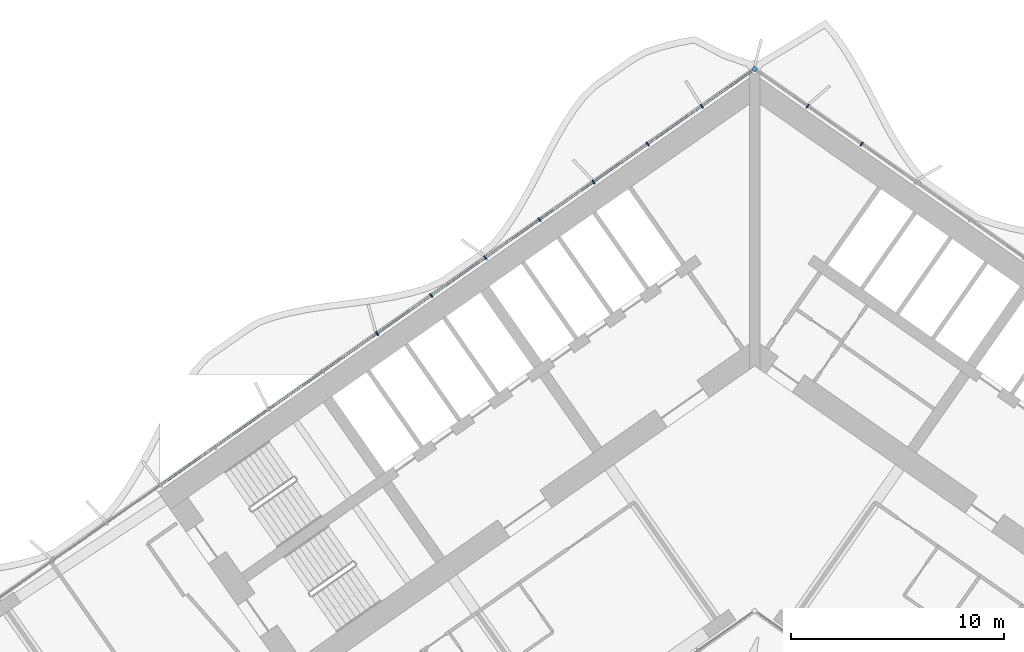
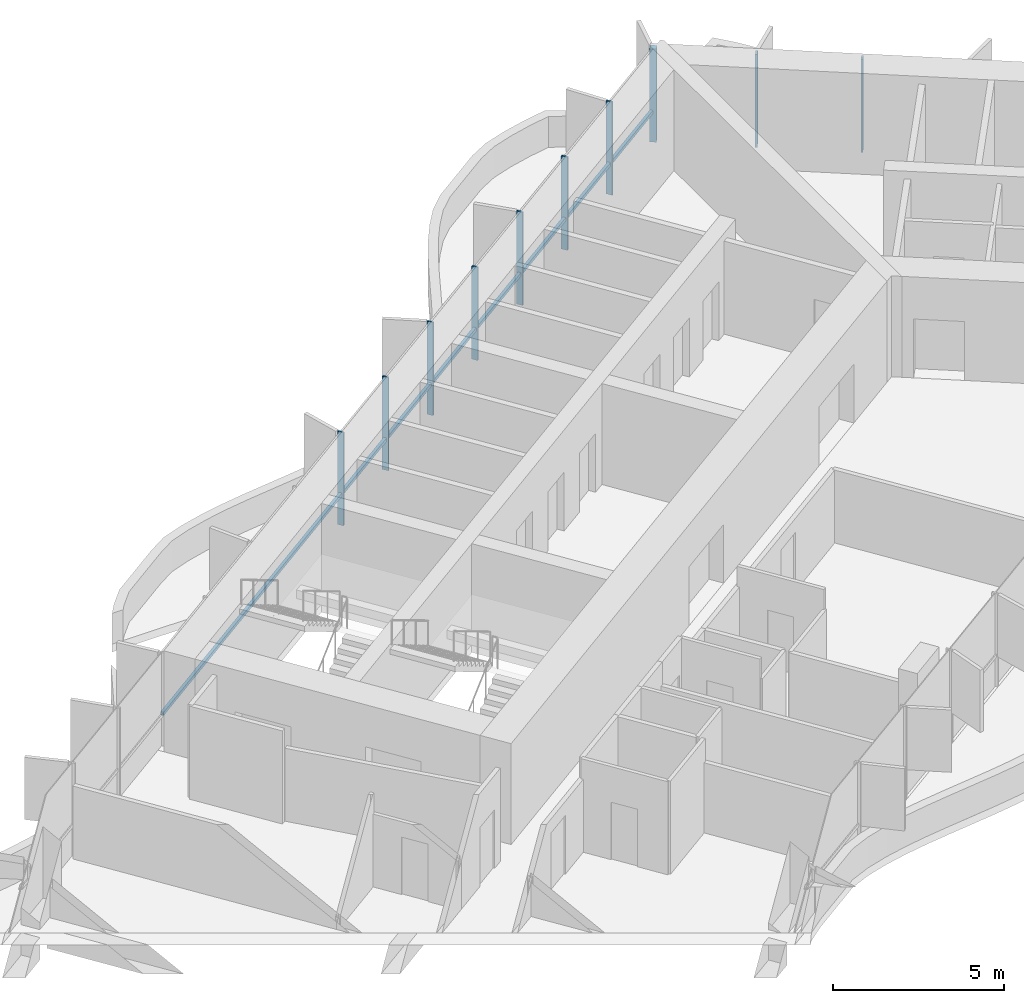
# One storey, part 7 of 23: 11 members, 1 element without a shape of its own.
"""IFC4 building model written with IfcOpenShell, lengths in metres."""

from ifc_helpers import new_model, si_unit, direction, frame, origin, origin_2d, place, context, subcontext, project, spatial, rectangle, extrude, material, material_profile, profile_set, type_object, element, aggregate, save


model = new_model("IFC4")

# Units and contexts
model_context = context("Model", 3, precision=1e-05, world=origin(), true_north=direction((0.0, 1.0)))
body_context = subcontext(model_context, "Body", "Model", "MODEL_VIEW")
ifc_project = project(units=[si_unit("LENGTHUNIT", "METRE"), si_unit("AREAUNIT", "SQUARE_METRE"), si_unit("VOLUMEUNIT", "CUBIC_METRE"), si_unit("PLANEANGLEUNIT", "RADIAN"), si_unit("MASSUNIT", "GRAM", prefix="KILO")], contexts=[model_context])

# Site, building, storey
site_placement = place(None, origin())
site = spatial("IfcSite", under=ifc_project, at=site_placement, CompositionType="ELEMENT")
building_placement = place(site_placement, origin())
building = spatial("IfcBuilding", under=site, at=building_placement, Name="Tel Ilan Convention Tower", CompositionType="ELEMENT")
storey_placement = place(building_placement, frame((0.0, 0.0, 101.300048828125)))
storey = spatial("IfcBuildingStorey", under=building, at=storey_placement, Name="L21", CompositionType="ELEMENT", Elevation=101.300048828125)

# Curtain wall, members
ifc_material_1 = material(Name="Aluminium, bronze anodised", Category="aluminium")
curtain_wall_type = type_object("IfcCurtainWallType", Name="CW2 STICK CURTAIN WALL, SPANDREL PANELS", PredefinedType="NOTDEFINED", material=ifc_material_1)
curtain_wall_placement = place(storey_placement, origin())
curtain_wall = element("IfcCurtainWall", 1, at=curtain_wall_placement, inside=storey, type_object=curtain_wall_type, Name="Curtain wall CW2-19.01", PredefinedType="NOTDEFINED")
ifc_material_2 = material(Name="Aluminium, bronze anodised", Category="aluminium")
ifc_material_profile_1 = material_profile(ifc_material_2, rectangle(XDim=0.199951171875, YDim=0.199951171875, at=origin_2d()), Name="CW CORNER MULLION 200x200")
ifc_profile_set_1 = profile_set([ifc_material_profile_1], Name="Aluminium, bronze anodised")
member_type_1 = type_object("IfcMemberType", Name="CW CORNER MULLION 200x200", PredefinedType="MULLION", material=ifc_profile_set_1)
member_1_placement = place(storey_placement, frame((0.0, 12.696044921875, 0.0), z_axis=(0.0, 0.0, 1.0), x_axis=(-0.819152044289, 0.573576436351, 0.0)))
member_1 = element("IfcMember", 2, at=member_1_placement, type_object=member_type_1, Name="Corner mullion", PredefinedType="MULLION", context=body_context, shape_type="SweptSolid", body=[
    extrude(rectangle(XDim=0.199951171875, YDim=0.199951171875, at=origin_2d()), origin(), (0.0, 0.0, 1.0), 3.320068359375),
])
ifc_material_3 = material(Name="Aluminium, bronze anodised", Category="aluminium")
ifc_material_profile_2 = material_profile(ifc_material_3, rectangle(XDim=0.06005859375, YDim=0.199951171875, at=origin_2d()), Name="CW MULLION 60x200")
ifc_profile_set_2 = profile_set([ifc_material_profile_2], Name="Aluminium, bronze anodised")
member_type_2 = type_object("IfcMemberType", Name="CW MULLION 60x200", PredefinedType="MULLION", material=ifc_profile_set_2)
member_2_placement = place(storey_placement, frame((5.0166015625, 9.18359375, 0.0), z_axis=(0.0, 0.0, 1.0), x_axis=(-0.819152044289, 0.573576436351, 0.0)))
member_2 = element("IfcMember", 3, at=member_2_placement, type_object=member_type_2, Name="Mullion", PredefinedType="MULLION", context=body_context, shape_type="SweptSolid", body=[
    extrude(rectangle(XDim=0.06005859375, YDim=0.199951171875, at=origin_2d()), origin(), (0.0, 0.0, 1.0), 3.320068359375),
])
member_3_placement = place(storey_placement, frame((2.4794921875, 10.9599609375, 0.0), z_axis=(0.0, 0.0, 1.0), x_axis=(-0.819152044289, 0.573576436351, 0.0)))
member_3 = element("IfcMember", 4, at=member_3_placement, type_object=member_type_2, Name="Mullion", PredefinedType="MULLION", context=body_context, shape_type="SweptSolid", body=[
    extrude(rectangle(XDim=0.06005859375, YDim=0.199951171875, at=origin_2d()), origin(), (0.0, 0.0, 1.0), 3.320068359375),
])
member_4_placement = place(storey_placement, frame((-2.4794921875, 10.9599609375, 0.0), z_axis=(0.0, 0.0, 1.0), x_axis=(-0.819152044289, -0.573576436351, 0.0)))
member_4 = element("IfcMember", 5, at=member_4_placement, type_object=member_type_2, Name="Mullion", PredefinedType="MULLION", context=body_context, shape_type="SweptSolid", body=[
    extrude(rectangle(XDim=0.06005859375, YDim=0.199951171875, at=origin_2d()), origin(), (0.0, 0.0, 1.0), 3.320068359375),
])
member_5_placement = place(storey_placement, frame((-5.0166015625, 9.18359375, 0.0), z_axis=(0.0, 0.0, 1.0), x_axis=(-0.819152044289, -0.573576436351, 0.0)))
member_5 = element("IfcMember", 6, at=member_5_placement, type_object=member_type_2, Name="Mullion", PredefinedType="MULLION", context=body_context, shape_type="SweptSolid", body=[
    extrude(rectangle(XDim=0.06005859375, YDim=0.199951171875, at=origin_2d()), origin(), (0.0, 0.0, 1.0), 3.320068359375),
])
member_6_placement = place(storey_placement, frame((-7.553466796875, 7.406982421875, 0.0), z_axis=(0.0, 0.0, 1.0), x_axis=(-0.819152044289, -0.573576436351, 0.0)))
member_6 = element("IfcMember", 7, at=member_6_placement, type_object=member_type_2, Name="Mullion", PredefinedType="MULLION", context=body_context, shape_type="SweptSolid", body=[
    extrude(rectangle(XDim=0.06005859375, YDim=0.199951171875, at=origin_2d()), origin(), (0.0, 0.0, 1.0), 3.320068359375),
])
member_7_placement = place(storey_placement, frame((-10.09033203125, 5.630615234375, 0.0), z_axis=(0.0, 0.0, 1.0), x_axis=(-0.819152044289, -0.573576436351, 0.0)))
member_7 = element("IfcMember", 8, at=member_7_placement, type_object=member_type_2, Name="Mullion", PredefinedType="MULLION", context=body_context, shape_type="SweptSolid", body=[
    extrude(rectangle(XDim=0.06005859375, YDim=0.199951171875, at=origin_2d()), origin(), (0.0, 0.0, 1.0), 3.320068359375),
])
member_8_placement = place(storey_placement, frame((-12.627197265625, 3.854248046875, 0.0), z_axis=(0.0, 0.0, 1.0), x_axis=(-0.819152044289, -0.573576436351, 0.0)))
member_8 = element("IfcMember", 9, at=member_8_placement, type_object=member_type_2, Name="Mullion", PredefinedType="MULLION", context=body_context, shape_type="SweptSolid", body=[
    extrude(rectangle(XDim=0.06005859375, YDim=0.199951171875, at=origin_2d()), origin(), (0.0, 0.0, 1.0), 3.320068359375),
])
member_9_placement = place(storey_placement, frame((-15.1640625, 2.077880859375, 0.0), z_axis=(0.0, 0.0, 1.0), x_axis=(-0.819152044289, -0.573576436351, 0.0)))
member_9 = element("IfcMember", 10, at=member_9_placement, type_object=member_type_2, Name="Mullion", PredefinedType="MULLION", context=body_context, shape_type="SweptSolid", body=[
    extrude(rectangle(XDim=0.06005859375, YDim=0.199951171875, at=origin_2d()), origin(), (0.0, 0.0, 1.0), 3.320068359375),
])
member_10_placement = place(storey_placement, frame((-17.701171875, 0.301513671875, 0.0), z_axis=(0.0, 0.0, 1.0), x_axis=(-0.819152044289, -0.573576436351, 0.0)))
member_10 = element("IfcMember", 11, at=member_10_placement, type_object=member_type_2, Name="Mullion", PredefinedType="MULLION", context=body_context, shape_type="SweptSolid", body=[
    extrude(rectangle(XDim=0.06005859375, YDim=0.199951171875, at=origin_2d()), origin(), (0.0, 0.0, 1.0), 3.320068359375),
])
ifc_material_4 = material(Name="Aluminium, bronze anodised", Category="aluminium")
ifc_material_profile_3 = material_profile(ifc_material_4, rectangle(XDim=0.10009765625, YDim=0.1201171875, at=origin_2d()), Name="CW TRANSOM 100x120")
ifc_profile_set_3 = profile_set([ifc_material_profile_3], Name="Aluminium, bronze anodised")
member_type_3 = type_object("IfcMemberType", Name="CW TRANSOM 100x120", PredefinedType="USERDEFINED", material=ifc_profile_set_3)
member_11_placement = place(storey_placement, frame((-0.1064453125, 12.62158203125, 1.099853515625), z_axis=(-0.819151916241, -0.573576619222, 0.0), x_axis=(0.573576619222, -0.819151916241, 0.0)))
member_11 = element("IfcMember", 12, at=member_11_placement, type_object=member_type_3, Name="Transom", ObjectType="TRANSOM", PredefinedType="USERDEFINED", context=body_context, shape_type="SweptSolid", body=[
    extrude(rectangle(XDim=0.10009765625, YDim=0.1201171875, at=origin_2d()), origin(), (0.0, 0.0, 1.0), 33.837158203125),
])
aggregate(curtain_wall, [member_2, member_3, member_1, member_4, member_5, member_6, member_7, member_8, member_9, member_10, member_11])

save(model, "model.ifc")
